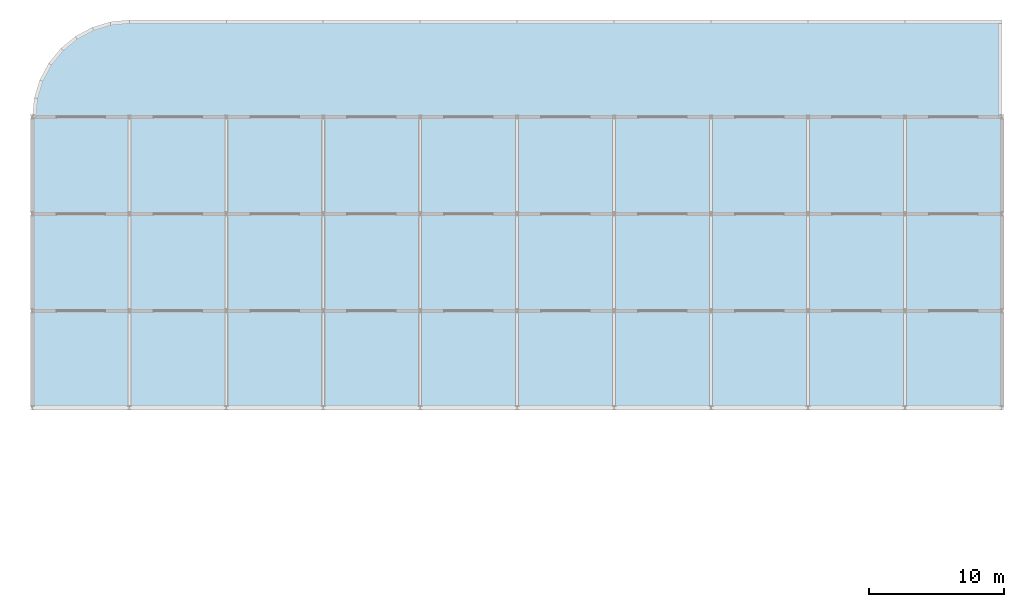
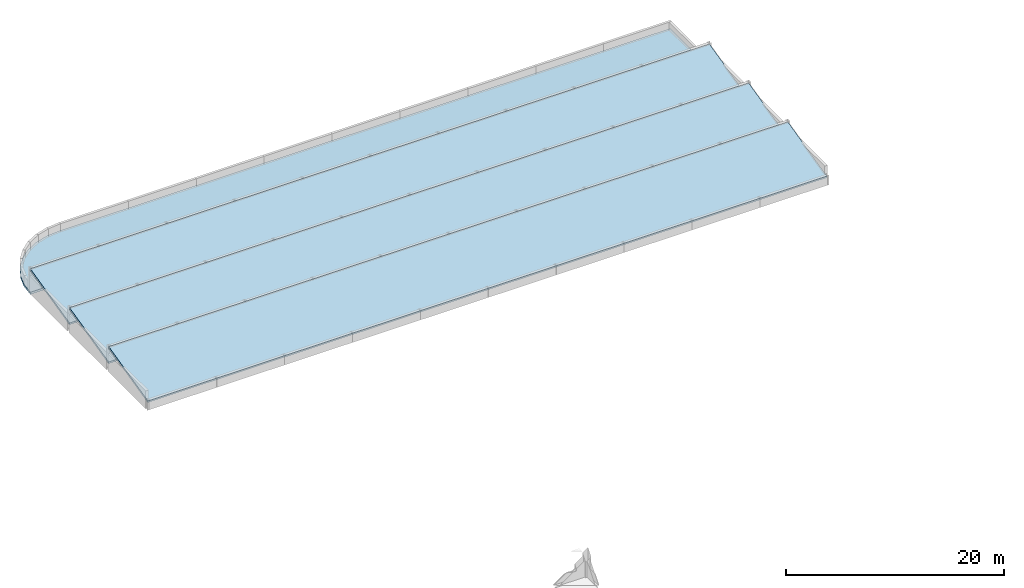
# One storey, part 11 of 19: 4 slabs, 1 element without a shape of its own.
"""IFC4 building model written with IfcOpenShell, lengths in metres."""

import ifcopenshell
import ifcopenshell.guid

model = None  # the IFC model being written
_history = None  # IfcOwnerHistory: only IFC2X3 demands one
_inside = {}  # id of a spatial element -> (the spatial element, [elements in it])
_under = {}  # id of a project, library or spatial element -> (it, [spatial elements below it])
_declared = {}  # id of a project -> (the project, [libraries it declares])
_typed = {}  # id of a type object -> (the type object, [elements of that type])
_made_of = {}  # id of a material, layer set ... -> (it, [elements and type objects made of it])


def new_model(schema):
    """Start an empty IFC model of exactly this schema.

    Asked for "IFC4X3", IfcOpenShell would pick the latest addendum, in which some entities
    have other attributes; the version numbers below select the first issue.
    IFC2X3 requires an IfcOwnerHistory on every rooted entity: one is made here for all.
    """
    global model, _history
    if schema == "IFC4X3":
        model = ifcopenshell.file(schema_version=(4, 3, 0, 0))
    else:
        model = ifcopenshell.file(schema=schema)
    _inside.clear()
    _under.clear()
    _declared.clear()
    _typed.clear()
    _made_of.clear()
    _history = None
    if model.schema == "IFC2X3":
        org = make("IfcOrganization", Name="unknown")
        user = make(
            "IfcPersonAndOrganization",
            ThePerson=make("IfcPerson", FamilyName="unknown"),
            TheOrganization=org,
        )
        app = make(
            "IfcApplication",
            ApplicationDeveloper=org,
            Version="unknown",
            ApplicationFullName="unknown",
            ApplicationIdentifier="unknown",
        )
        _history = make(
            "IfcOwnerHistory",
            OwningUser=user,
            OwningApplication=app,
            ChangeAction="ADDED",
            CreationDate=0,
        )
    return model


def make(cls, **values):
    """One entity of the class cls with the attributes given. An attribute that is None is left unset."""
    return model.create_entity(
        cls, **{name: value for name, value in values.items() if value is not None}
    )


def rooted(cls, **values):
    """An entity with a GlobalId (a new one), such as an element, a storey or a relation."""
    return make(cls, GlobalId=ifcopenshell.guid.new(), OwnerHistory=_history, **values)


def si_unit(unit_type, name, prefix=None):
    """IfcSIUnit, for example si_unit("LENGTHUNIT", "METRE", prefix="MILLI")."""
    return make("IfcSIUnit", UnitType=unit_type, Prefix=prefix, Name=name)


def assignment(units):
    """IfcUnitAssignment: the units of a project."""
    return None if units is None else make("IfcUnitAssignment", Units=units)


def point(xyz):
    """IfcCartesianPoint."""
    return None if xyz is None else make("IfcCartesianPoint", Coordinates=xyz)


def direction(xyz):
    """IfcDirection."""
    return None if xyz is None else make("IfcDirection", DirectionRatios=xyz)


def frame(location, z_axis=None, x_axis=None):
    """IfcAxis2Placement3D, a coordinate frame: its origin and axes. An axis left out is left unset."""
    return make(
        "IfcAxis2Placement3D",
        Location=point(location),
        Axis=direction(z_axis),
        RefDirection=direction(x_axis),
    )


def origin():
    """The frame at (0, 0, 0) with its axes left unset."""
    return frame((0.0, 0.0, 0.0))


def place(relative_to, where):
    """IfcLocalPlacement: puts the frame where relative to a parent placement (None: the world)."""
    return make(
        "IfcLocalPlacement", PlacementRelTo=relative_to, RelativePlacement=where
    )


def context(
    kind, dimensions, precision=None, world=None, true_north=None, identifier=None
):
    """IfcGeometricRepresentationContext, for example the 3D "Model" context."""
    return make(
        "IfcGeometricRepresentationContext",
        ContextIdentifier=identifier,
        ContextType=kind,
        CoordinateSpaceDimension=dimensions,
        Precision=precision,
        WorldCoordinateSystem=world,
        TrueNorth=true_north,
    )


def subcontext(parent, identifier, kind, view, scale=None):
    """IfcGeometricRepresentationSubContext, for example "Body" below "Model"."""
    return make(
        "IfcGeometricRepresentationSubContext",
        ContextIdentifier=identifier,
        ContextType=kind,
        ParentContext=parent,
        TargetScale=scale,
        TargetView=view,
    )


def project(units=None, contexts=None):
    """IfcProject with its units and contexts."""
    return rooted(
        "IfcProject",
        Name="project",
        RepresentationContexts=contexts,
        UnitsInContext=assignment(units),
    )


def spatial(cls, under=None, at=None, **own):
    """A site, building, storey or space (cls), placed at a placement, below another one or the project."""
    s = rooted(cls, ObjectPlacement=at, **own)
    if under is not None:
        _under.setdefault(under.id(), (under, []))[1].append(s)
    return s


def polyline(points):
    """IfcPolyline through the points."""
    return make("IfcPolyline", Points=[point(p) for p in points])


def outline(outer, holes=None, kind="AREA"):
    """IfcArbitraryClosedProfileDef: a profile drawn as a closed curve; with holes, ...WithVoids."""
    if holes is None:
        return make("IfcArbitraryClosedProfileDef", ProfileType=kind, OuterCurve=outer)
    return make(
        "IfcArbitraryProfileDefWithVoids",
        ProfileType=kind,
        OuterCurve=outer,
        InnerCurves=holes,
    )


def extrude(swept, where, along, depth):
    """IfcExtrudedAreaSolid: the profile swept, set in the frame where, extruded along a direction by depth."""
    return make(
        "IfcExtrudedAreaSolid",
        SweptArea=swept,
        Position=where,
        ExtrudedDirection=direction(along),
        Depth=depth,
    )


def shape(context_of_items, identifier, shape_type, items):
    """IfcShapeRepresentation: the items that make up one representation, for example the "Body"."""
    return make(
        "IfcShapeRepresentation",
        ContextOfItems=context_of_items,
        RepresentationIdentifier=identifier,
        RepresentationType=shape_type,
        Items=items,
    )


def material(Name=None, Category=None):
    """IfcMaterial."""
    return make("IfcMaterial", Name=Name, Category=Category)


def layer(
    of_material, thickness, ventilated=None, Name=None, Category=None, Priority=None
):
    """IfcMaterialLayer: one layer of a wall or slab, of a material (None: an air gap)."""
    return make(
        "IfcMaterialLayer",
        Material=of_material,
        LayerThickness=thickness,
        IsVentilated=ventilated,
        Name=Name,
        Category=Category,
        Priority=Priority,
    )


def layer_set(layers, Name=None):
    """IfcMaterialLayerSet."""
    return make("IfcMaterialLayerSet", MaterialLayers=layers, LayerSetName=Name)


def made_of(thing, what):
    """Note that an element or type object is made of a material, layer set ...; save() writes the relation."""
    if what is not None:
        _made_of.setdefault(what.id(), (what, []))[1].append(thing)
    return thing


def type_object(cls, material=None, **own):
    """A type object (cls), such as IfcWallType, which elements share."""
    return made_of(rooted(cls, **own), material)


def element(
    cls,
    number,
    at=None,
    inside=None,
    cuts=None,
    type_object=None,
    material=None,
    context=None,
    identifier="Body",
    shape_type=None,
    held_by="IfcProductDefinitionShape",
    body=None,
    shapes=None,
    **own,
):
    """One element of the class cls, such as IfcWall. Its Tag is "e" and its number.

    at: its placement. inside: the storey or other place that contains it. cuts: it is an
    opening in that element (IfcRelVoidsElement). A single representation is given by context,
    identifier, shape_type and body (its items); several are given by shapes. held_by: the class
    of the entity that holds the representations. save() writes the other relations.
    """
    e = rooted(cls, Tag="e%d" % number, ObjectPlacement=at, **own)
    if body is not None:
        shapes = [shape(context, identifier, shape_type, body)]
    if shapes is not None:
        e.Representation = make(held_by, Representations=shapes)
    if inside is not None:
        _inside.setdefault(inside.id(), (inside, []))[1].append(e)
    if cuts is not None:
        rooted(
            "IfcRelVoidsElement", RelatingBuildingElement=cuts, RelatedOpeningElement=e
        )
    if type_object is not None:
        _typed.setdefault(type_object.id(), (type_object, []))[1].append(e)
    return made_of(e, material)


def aggregate(whole, parts):
    """IfcRelAggregates: a whole, such as a stair, and the parts it consists of."""
    return rooted("IfcRelAggregates", RelatingObject=whole, RelatedObjects=parts)


def save(model, path):
    """Write the relations noted so far, then the file.

    IfcRelAggregates (storeys below a building ...), IfcRelContainedInSpatialStructure (elements
    in a storey), IfcRelDefinesByType, IfcRelAssociatesMaterial and IfcRelDeclares: one each for
    every whole, place, type object, material and project.
    """
    for whole, parts in _under.values():
        aggregate(whole, parts)
    for where, things in _inside.values():
        rooted(
            "IfcRelContainedInSpatialStructure",
            RelatedElements=things,
            RelatingStructure=where,
        )
    for kind, things in _typed.values():
        rooted("IfcRelDefinesByType", RelatedObjects=things, RelatingType=kind)
    for what, things in _made_of.values():
        rooted("IfcRelAssociatesMaterial", RelatedObjects=things, RelatingMaterial=what)
    for by, libraries in _declared.values():
        rooted("IfcRelDeclares", RelatingContext=by, RelatedDefinitions=libraries)
    model.write(path)


model = new_model("IFC4")

# Units and contexts
model_context = context("Model", 3, precision=1e-05, world=origin(), true_north=direction((0.0, 1.0)))
body_context = subcontext(model_context, "Body", "Model", "MODEL_VIEW")
ifc_project = project(units=[si_unit("LENGTHUNIT", "METRE"), si_unit("AREAUNIT", "SQUARE_METRE"), si_unit("VOLUMEUNIT", "CUBIC_METRE"), si_unit("PLANEANGLEUNIT", "RADIAN"), si_unit("MASSUNIT", "GRAM", prefix="KILO")], contexts=[model_context])

# Site, building, storey
site_placement = place(None, origin())
site = spatial("IfcSite", under=ifc_project, at=site_placement, CompositionType="ELEMENT")
building_placement = place(site_placement, origin())
building = spatial("IfcBuilding", under=site, at=building_placement, Name="Thalmaran Polytechnic", CompositionType="ELEMENT")
storey_placement = place(building_placement, frame((0.0, 0.0, 26.699951171875)))
storey = spatial("IfcBuildingStorey", under=building, at=storey_placement, Name="L06", CompositionType="ELEMENT", Elevation=26.699951171875)

# Slab
ifc_material_1 = material(Name="Concrete C40/50", Category="concrete")
ifc_layer_1 = layer(ifc_material_1, 0.235107421875, Name="Concrete C40/50")
ifc_layer_set_1 = layer_set([ifc_layer_1], Name="Concrete C40/50")
slab_type_1 = type_object("IfcSlabType", Name="SL-RF02", PredefinedType="ROOF", material=ifc_layer_set_1)
slab_1_placement = place(storey_placement, frame((0.0, 0.0, -0.23486328125)))
element("IfcSlab", 1, at=slab_1_placement, inside=storey, type_object=slab_type_1, Name="Library Curved NW Prow Roof Slab", PredefinedType="ROOF", context=body_context, shape_type="SweptSolid", body=[
    extrude(outline(polyline([(0.548095703125, 117.955322265625), (1.21337890625, 119.2001953125), (2.10888671875, 120.291259765625), (3.199951171875, 121.1865234375), (4.444580078125, 121.85205078125), (5.79541015625, 122.26171875), (7.199951171875, 122.39990234375), (14.39990234375, 122.39990234375), (21.60009765625, 122.39990234375), (28.800048828125, 122.39990234375), (36.0, 122.39990234375), (43.199951171875, 122.39990234375), (50.39990234375, 122.39990234375), (57.60009765625, 122.39990234375), (64.800048828125, 122.39990234375), (72.0, 122.39990234375), (72.0, 115.199951171875), (64.800048828125, 115.199951171875), (57.60009765625, 115.199951171875), (50.39990234375, 115.199951171875), (43.199951171875, 115.199951171875), (36.0, 115.199951171875), (28.800048828125, 115.199951171875), (21.60009765625, 115.199951171875), (14.39990234375, 115.199951171875), (7.199951171875, 115.199951171875), (0.0, 115.199951171875), (0.138427734375, 116.604736328125), (0.548095703125, 117.955322265625)])), origin(), (0.0, 0.0, 1.0), 0.23486328125),
])

# Roof, slabs
ifc_material_2 = material(Name="High-SRI standing-seam aluminium roofing", Category="aluminium")
ifc_layer_2 = layer(ifc_material_2, 0.219970703125, Name="High-SRI standing-seam aluminium roofing")
ifc_layer_set_2 = layer_set([ifc_layer_2], Name="High-SRI standing-seam aluminium roofing")
roof_type = type_object("IfcRoofType", Name="RF-SH01", PredefinedType="SHED_ROOF", material=ifc_layer_set_2)
roof_placement = place(storey_placement, origin())
roof = element("IfcRoof", 2, at=roof_placement, inside=storey, type_object=roof_type, Name="Library North-Light Sawtooth Roof", PredefinedType="SHED_ROOF")
ifc_layer_3 = layer(ifc_material_1, 0.219970703125, Name="Concrete C40/50")
ifc_layer_set_3 = layer_set([ifc_layer_3], Name="Concrete C40/50")
slab_type_2 = type_object("IfcSlabType", Name="SL-RF03", PredefinedType="ROOF", material=ifc_layer_set_3)
slab_2_placement = place(storey_placement, frame((0.0, 93.60009765625, 0.91015625), z_axis=(0.0, -0.233440292188, 0.972371137983), x_axis=(1.0, 0.0, 0.0)))
slab_2 = element("IfcSlab", 3, at=slab_2_placement, type_object=slab_type_2, Name="Library Sawtooth Roof Bay 1", PredefinedType="ROOF", context=body_context, shape_type="SweptSolid", body=[
    extrude(outline(polyline([(0.0, 0.0), (72.0, 0.0), (72.0, 7.404529906972713), (0.0, 7.404529906972713), (0.0, 0.0)])), origin(), (0.0, 0.0, -1.0), 0.219970703125),
])
slab_3_placement = place(storey_placement, frame((0.0, 100.800048828125, 0.91015625), z_axis=(0.0, -0.233440292188, 0.972371137983), x_axis=(1.0, 0.0, 0.0)))
slab_3 = element("IfcSlab", 4, at=slab_3_placement, type_object=slab_type_2, Name="Library Sawtooth Roof Bay 2", PredefinedType="ROOF", context=body_context, shape_type="SweptSolid", body=[
    extrude(outline(polyline([(0.0, 0.0), (72.0, 0.0), (72.0, 7.404529906972713), (0.0, 7.404529906972713), (0.0, 0.0)])), origin(), (0.0, 0.0, -1.0), 0.219970703125),
])
slab_4_placement = place(storey_placement, frame((0.0, 108.0, 0.91015625), z_axis=(0.0, -0.233440292188, 0.972371137983), x_axis=(1.0, 0.0, 0.0)))
slab_4 = element("IfcSlab", 5, at=slab_4_placement, type_object=slab_type_2, Name="Library Sawtooth Roof Bay 3", PredefinedType="ROOF", context=body_context, shape_type="SweptSolid", body=[
    extrude(outline(polyline([(0.0, 0.0), (72.0, 0.0), (72.0, 7.404529906972713), (0.0, 7.404529906972713), (0.0, 0.0)])), origin(), (0.0, 0.0, -1.0), 0.219970703125),
])
aggregate(roof, [slab_2, slab_3, slab_4])

save(model, "model.ifc")
